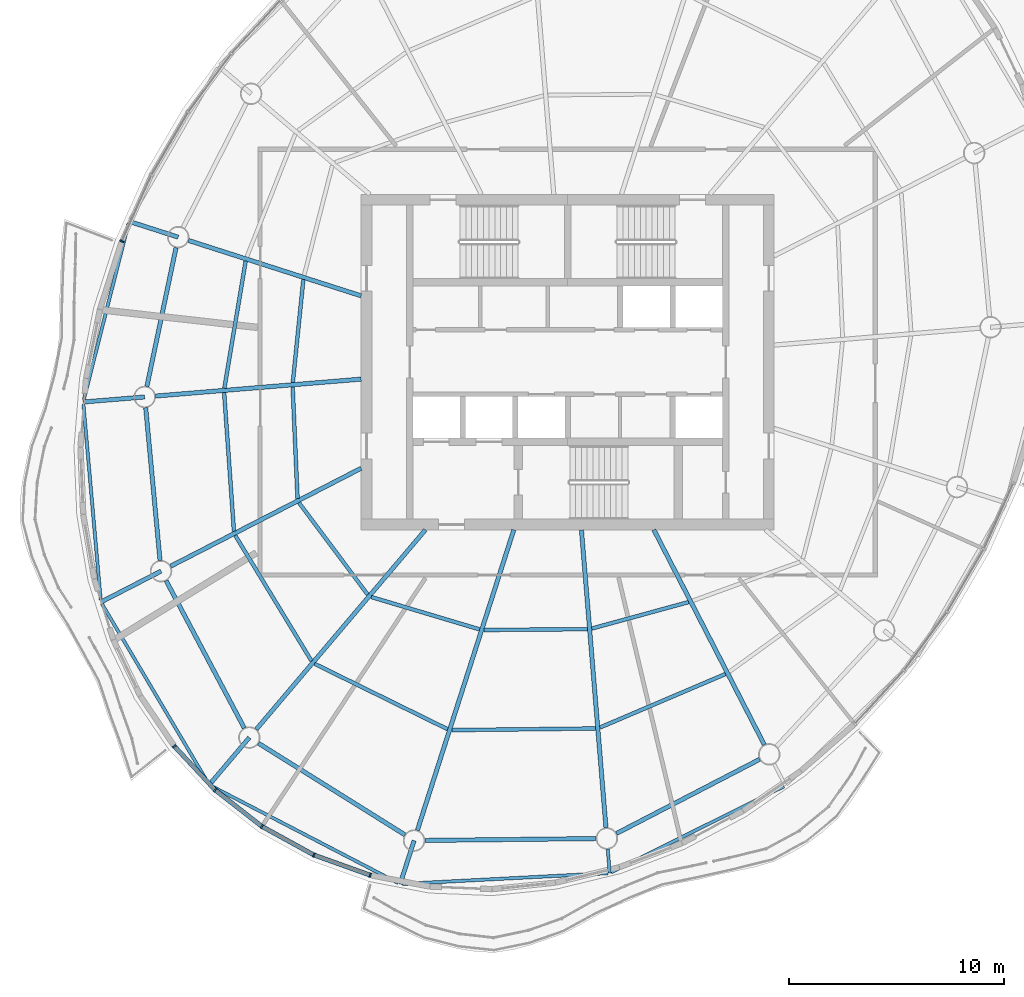
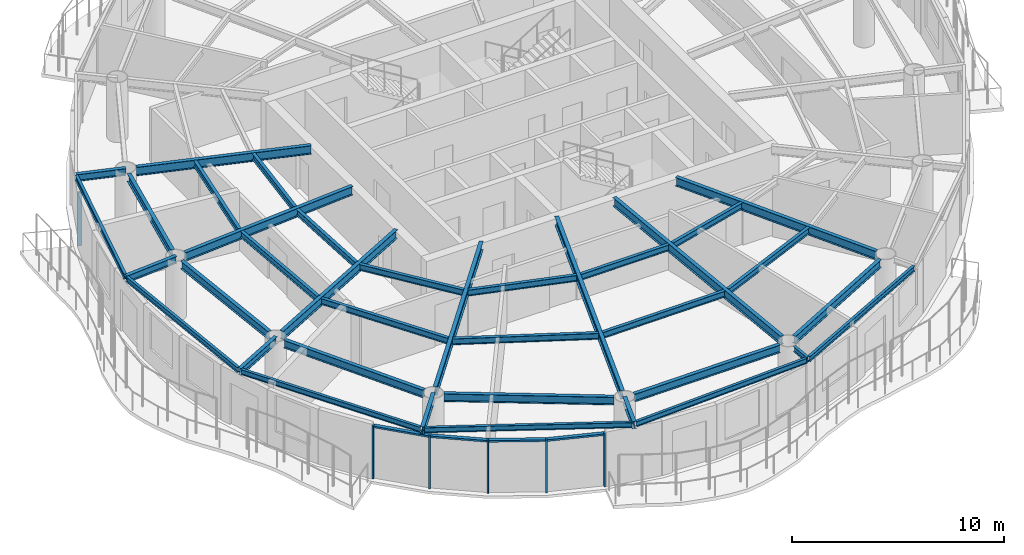
# One storey, part 2 of 15: 37 beams, 10 members, 5 elements without a shape of their own.
"""IFC4 building model written with IfcOpenShell, lengths in metres."""

from ifc_helpers import new_model, si_unit, direction, frame, origin, origin_2d, place, context, subcontext, project, spatial, rectangle, i_section, extrude, material, material_profile, profile_set, type_object, element, aggregate, save


model = new_model("IFC4")

# Units and contexts
model_context = context("Model", 3, precision=1e-05, world=origin(), true_north=direction((0.0, 1.0)))
body_context = subcontext(model_context, "Body", "Model", "MODEL_VIEW")
ifc_project = project(units=[si_unit("LENGTHUNIT", "METRE"), si_unit("AREAUNIT", "SQUARE_METRE"), si_unit("VOLUMEUNIT", "CUBIC_METRE"), si_unit("PLANEANGLEUNIT", "RADIAN"), si_unit("MASSUNIT", "GRAM", prefix="KILO")], contexts=[model_context])

# Site, building, storey
site_placement = place(None, origin())
site = spatial("IfcSite", under=ifc_project, at=site_placement, CompositionType="ELEMENT")
building_placement = place(site_placement, origin())
building = spatial("IfcBuilding", under=site, at=building_placement, Name="Vermilion Reach Broadcast Tower", CompositionType="ELEMENT")
storey_placement = place(building_placement, frame((0.0, 0.0, 261.300048828125)))
storey = spatial("IfcBuildingStorey", under=building, at=storey_placement, Name="L64", CompositionType="ELEMENT", Elevation=261.300048828125)

# Beams
ifc_material_1 = material(Name="Steel S355J2", Category="steel")
ifc_material_profile_1 = material_profile(ifc_material_1, i_section(OverallWidth=0.14990234375, OverallDepth=0.300048828125, WebThickness=0.006591796875, FlangeThickness=0.009033203125, at=origin_2d()), Name="S355J2 HN 300x150x6.5x9")
ifc_profile_set_1 = profile_set([ifc_material_profile_1], Name="Steel S355J2")
beam_type_1 = type_object("IfcBeamType", Name="EB5 HN 300x150x6.5x9", PredefinedType="BEAM", material=ifc_profile_set_1)
beam_1_placement = place(storey_placement, frame((-26.416748046875, 6.446044921875, 3.300048828125), z_axis=(-0.246038080256, -0.969260162734, 0.0), x_axis=(0.969260162734, -0.246038080256, 0.0)))
element("IfcBeam", 1, at=beam_1_placement, inside=storey, type_object=beam_type_1, Name="Edge beam EB5-05", PredefinedType="BEAM", context=body_context, shape_type="SweptSolid", body=[
    extrude(i_section(OverallWidth=0.14990234375, OverallDepth=0.300048828125, WebThickness=0.006591796875, FlangeThickness=0.009033203125, at=origin_2d()), origin(), (0.0, 0.0, 1.0), 8.459228515625),
])
beam_2_placement = place(storey_placement, frame((-28.51513671875, -1.955322265625, 3.300048828125), z_axis=(0.087996816652, -0.996120755862, 0.0), x_axis=(0.996120755862, 0.087996816652, 0.0)))
element("IfcBeam", 2, at=beam_2_placement, inside=storey, type_object=beam_type_1, Name="Edge beam EB5-06", PredefinedType="BEAM", context=body_context, shape_type="SweptSolid", body=[
    extrude(i_section(OverallWidth=0.14990234375, OverallDepth=0.300048828125, WebThickness=0.006591796875, FlangeThickness=0.009033203125, at=origin_2d()), origin(), (0.0, 0.0, 1.0), 9.130615234375),
])
beam_3_placement = place(storey_placement, frame((-27.651123046875, -11.244384765625, 3.300048828125), z_axis=(0.509893702773, -0.860237415992, 0.0), x_axis=(0.860237415992, 0.509893702773, 0.0)))
element("IfcBeam", 3, at=beam_3_placement, inside=storey, type_object=beam_type_1, Name="Edge beam EB5-07", PredefinedType="BEAM", context=body_context, shape_type="SweptSolid", body=[
    extrude(i_section(OverallWidth=0.14990234375, OverallDepth=0.300048828125, WebThickness=0.006591796875, FlangeThickness=0.009033203125, at=origin_2d()), origin(), (0.0, 0.0, 1.0), 9.673828125),
])
beam_4_placement = place(storey_placement, frame((-22.57373046875, -19.70458984375, 3.300048828125), z_axis=(0.887399463352, -0.461001293319, 0.0), x_axis=(0.461001293319, 0.887399463352, 0.0)))
element("IfcBeam", 4, at=beam_4_placement, inside=storey, type_object=beam_type_1, Name="Edge beam EB5-08", PredefinedType="BEAM", context=body_context, shape_type="SweptSolid", body=[
    extrude(i_section(OverallWidth=0.14990234375, OverallDepth=0.300048828125, WebThickness=0.006591796875, FlangeThickness=0.009033203125, at=origin_2d()), origin(), (0.0, 0.0, 1.0), 9.800048828125),
])
beam_5_placement = place(storey_placement, frame((-13.680419921875, -24.263427734375, 3.300048828125), z_axis=(0.998643973769, 0.0520597124, 0.0), x_axis=(-0.0520597124, 0.998643973769, 0.0)))
element("IfcBeam", 5, at=beam_5_placement, inside=storey, type_object=beam_type_1, Name="Edge beam EB5-09", PredefinedType="BEAM", context=body_context, shape_type="SweptSolid", body=[
    extrude(i_section(OverallWidth=0.14990234375, OverallDepth=0.300048828125, WebThickness=0.006591796875, FlangeThickness=0.009033203125, at=origin_2d()), origin(), (0.0, 0.0, 1.0), 9.576171875),
])
beam_6_placement = place(storey_placement, frame((-3.969970703125, -23.724853515625, 3.300048828125), z_axis=(0.895155540146, 0.445753921965, 0.0), x_axis=(-0.445753921965, 0.895155540146, 0.0)))
element("IfcBeam", 6, at=beam_6_placement, inside=storey, type_object=beam_type_1, Name="Edge beam EB5-10", PredefinedType="BEAM", context=body_context, shape_type="SweptSolid", body=[
    extrude(i_section(OverallWidth=0.14990234375, OverallDepth=0.300048828125, WebThickness=0.006591796875, FlangeThickness=0.009033203125, at=origin_2d()), origin(), (0.0, 0.0, 1.0), 8.96875),
])
ifc_material_2 = material(Name="Steel S355J2", Category="steel")
ifc_material_profile_2 = material_profile(ifc_material_2, i_section(OverallWidth=0.199951171875, OverallDepth=0.5, WebThickness=0.010009765625, FlangeThickness=0.01611328125, at=origin_2d()), Name="S355J2 HN 500x200x10x16")
ifc_profile_set_2 = profile_set([ifc_material_profile_2], Name="Steel S355J2")
beam_type_2 = type_object("IfcBeamType", Name="G5 HN 500x200x10x16", PredefinedType="BEAM", material=ifc_profile_set_2)
beam_7_placement = place(storey_placement, frame((-15.60009765625, 3.080322265625, 3.199951171875), z_axis=(-0.952178453449, 0.305542456604, 0.0), x_axis=(-0.305542456604, -0.952178453449, 0.0)))
element("IfcBeam", 7, at=beam_7_placement, inside=storey, type_object=beam_type_2, Name="Girder G5-05", PredefinedType="BEAM", context=body_context, shape_type="SweptSolid", body=[
    extrude(i_section(OverallWidth=0.199951171875, OverallDepth=0.5, WebThickness=0.010009765625, FlangeThickness=0.01611328125, at=origin_2d()), origin(), (0.0, 0.0, 1.0), 8.43310546875),
])
beam_8_placement = place(storey_placement, frame((-15.60009765625, -0.791015625, 3.199951171875), z_axis=(-0.996624410075, -0.082096195058, 0.0), x_axis=(0.082096195058, -0.996624410075, 0.0)))
element("IfcBeam", 8, at=beam_8_placement, inside=storey, type_object=beam_type_2, Name="Girder G5-06", PredefinedType="BEAM", context=body_context, shape_type="SweptSolid", body=[
    extrude(i_section(OverallWidth=0.199951171875, OverallDepth=0.5, WebThickness=0.010009765625, FlangeThickness=0.01611328125, at=origin_2d()), origin(), (0.0, 0.0, 1.0), 9.599609375),
])
beam_9_placement = place(storey_placement, frame((-15.60009765625, -4.935791015625, 3.199951171875), z_axis=(-0.889332502449, -0.457261085254, 0.0), x_axis=(0.457261085254, -0.889332502449, 0.0)))
element("IfcBeam", 9, at=beam_9_placement, inside=storey, type_object=beam_type_2, Name="Girder G5-07", PredefinedType="BEAM", context=body_context, shape_type="SweptSolid", body=[
    extrude(i_section(OverallWidth=0.199951171875, OverallDepth=0.5, WebThickness=0.010009765625, FlangeThickness=0.01611328125, at=origin_2d()), origin(), (0.0, 0.0, 1.0), 9.96337890625),
])
beam_10_placement = place(storey_placement, frame((-12.612548828125, -7.800048828125, 3.199951171875), z_axis=(-0.646658335602, -0.762779782766, 0.0), x_axis=(0.762779782766, -0.646658335602, 0.0)))
element("IfcBeam", 10, at=beam_10_placement, inside=storey, type_object=beam_type_2, Name="Girder G5-08", PredefinedType="BEAM", context=body_context, shape_type="SweptSolid", body=[
    extrude(i_section(OverallWidth=0.199951171875, OverallDepth=0.5, WebThickness=0.010009765625, FlangeThickness=0.01611328125, at=origin_2d()), origin(), (0.0, 0.0, 1.0), 12.16064453125),
])
beam_11_placement = place(storey_placement, frame((-8.502685546875, -7.800048828125, 3.199951171875), z_axis=(-0.305545401295, -0.952177508528, 0.0), x_axis=(0.952177508528, -0.305545401295, 0.0)))
element("IfcBeam", 11, at=beam_11_placement, inside=storey, type_object=beam_type_2, Name="Girder G5-09", PredefinedType="BEAM", context=body_context, shape_type="SweptSolid", body=[
    extrude(i_section(OverallWidth=0.199951171875, OverallDepth=0.5, WebThickness=0.010009765625, FlangeThickness=0.01611328125, at=origin_2d()), origin(), (0.0, 0.0, 1.0), 14.672607421875),
])
beam_12_placement = place(storey_placement, frame((-5.357421875, -7.800048828125, 3.199951171875), z_axis=(0.082123744247, -0.996622140347, 0.0), x_axis=(0.996622140347, 0.082123744247, 0.0)))
element("IfcBeam", 12, at=beam_12_placement, inside=storey, type_object=beam_type_2, Name="Girder G5-10", PredefinedType="BEAM", context=body_context, shape_type="SweptSolid", body=[
    extrude(i_section(OverallWidth=0.199951171875, OverallDepth=0.5, WebThickness=0.010009765625, FlangeThickness=0.01611328125, at=origin_2d()), origin(), (0.0, 0.0, 1.0), 13.89794921875),
])
beam_13_placement = place(storey_placement, frame((-1.989501953125, -7.800048828125, 3.199951171875), z_axis=(0.457258168112, -0.889334002327, 0.0), x_axis=(0.889334002327, 0.457258168112, 0.0)))
element("IfcBeam", 13, at=beam_13_placement, inside=storey, type_object=beam_type_2, Name="Girder G5-11", PredefinedType="BEAM", context=body_context, shape_type="SweptSolid", body=[
    extrude(i_section(OverallWidth=0.199951171875, OverallDepth=0.5, WebThickness=0.010009765625, FlangeThickness=0.01611328125, at=origin_2d()), origin(), (0.0, 0.0, 1.0), 11.236328125),
])
ifc_material_3 = material(Name="Steel S355J2", Category="steel")
ifc_material_profile_3 = material_profile(ifc_material_3, i_section(OverallWidth=0.199951171875, OverallDepth=0.39990234375, WebThickness=0.008056640625, FlangeThickness=0.012939453125, at=origin_2d()), Name="S355J2 HN 400x200x8x13")
ifc_profile_set_3 = profile_set([ifc_material_profile_3], Name="Steel S355J2")
beam_type_3 = type_object("IfcBeamType", Name="GC5 HN 400x200x8x13", PredefinedType="BEAM", material=ifc_profile_set_3)
beam_14_placement = place(storey_placement, frame((-24.10595703125, 5.809814453125, 3.25), z_axis=(-0.952201923587, 0.305469305687, 0.0), x_axis=(-0.305469305687, -0.952201923587, 0.0)))
element("IfcBeam", 14, at=beam_14_placement, inside=storey, type_object=beam_type_3, Name="Cantilever girder GC5-05", PredefinedType="BEAM", context=body_context, shape_type="SweptSolid", body=[
    extrude(i_section(OverallWidth=0.199951171875, OverallDepth=0.39990234375, WebThickness=0.008056640625, FlangeThickness=0.012939453125, at=origin_2d()), origin(), (0.0, 0.0, 1.0), 2.40087890625),
])
beam_15_placement = place(storey_placement, frame((-25.665771484375, -1.620361328125, 3.25), z_axis=(-0.996626885266, -0.082066141402, 0.0), x_axis=(0.082066141402, -0.996626885266, 0.0)))
element("IfcBeam", 15, at=beam_15_placement, inside=storey, type_object=beam_type_3, Name="Cantilever girder GC5-06", PredefinedType="BEAM", context=body_context, shape_type="SweptSolid", body=[
    extrude(i_section(OverallWidth=0.199951171875, OverallDepth=0.39990234375, WebThickness=0.008056640625, FlangeThickness=0.012939453125, at=origin_2d()), origin(), (0.0, 0.0, 1.0), 2.867919921875),
])
beam_16_placement = place(storey_placement, frame((-24.905517578125, -9.72021484375, 3.25), z_axis=(-0.889323886148, -0.457277842812, 0.0), x_axis=(0.457277842812, -0.889323886148, 0.0)))
element("IfcBeam", 16, at=beam_16_placement, inside=storey, type_object=beam_type_3, Name="Cantilever girder GC5-07", PredefinedType="BEAM", context=body_context, shape_type="SweptSolid", body=[
    extrude(i_section(OverallWidth=0.199951171875, OverallDepth=0.39990234375, WebThickness=0.008056640625, FlangeThickness=0.012939453125, at=origin_2d()), origin(), (0.0, 0.0, 1.0), 3.144775390625),
])
beam_17_placement = place(storey_placement, frame((-20.799560546875, -17.457275390625, 3.25), z_axis=(-0.646647778252, -0.762788732796, 0.0), x_axis=(0.762788732796, -0.646647778252, 0.0)))
element("IfcBeam", 17, at=beam_17_placement, inside=storey, type_object=beam_type_3, Name="Cantilever girder GC5-08", PredefinedType="BEAM", context=body_context, shape_type="SweptSolid", body=[
    extrude(i_section(OverallWidth=0.199951171875, OverallDepth=0.39990234375, WebThickness=0.008056640625, FlangeThickness=0.012939453125, at=origin_2d()), origin(), (0.0, 0.0, 1.0), 2.884033203125),
])
beam_18_placement = place(storey_placement, frame((-13.138427734375, -22.2470703125, 3.25), z_axis=(-0.305584898236, -0.952164833404, 0.0), x_axis=(0.952164833404, -0.305584898236, 0.0)))
element("IfcBeam", 18, at=beam_18_placement, inside=storey, type_object=beam_type_3, Name="Cantilever girder GC5-09", PredefinedType="BEAM", context=body_context, shape_type="SweptSolid", body=[
    extrude(i_section(OverallWidth=0.199951171875, OverallDepth=0.39990234375, WebThickness=0.008056640625, FlangeThickness=0.012939453125, at=origin_2d()), origin(), (0.0, 0.0, 1.0), 2.12353515625),
])
ifc_material_4 = material(Name="Steel S355J2", Category="steel")
ifc_material_profile_4 = material_profile(ifc_material_4, i_section(OverallWidth=0.14990234375, OverallDepth=0.300048828125, WebThickness=0.006591796875, FlangeThickness=0.009033203125, at=origin_2d()), Name="S355J2 HN 300x150x6.5x9")
ifc_profile_set_4 = profile_set([ifc_material_profile_4], Name="Steel S355J2")
beam_type_4 = type_object("IfcBeamType", Name="GS5 HN 300x150x6.5x9", PredefinedType="BEAM", material=ifc_profile_set_4)
beam_19_placement = place(storey_placement, frame((-4.134033203125, -22.647705078125, 3.300048828125), z_axis=(0.082177251405, -0.9966177298, 0.0), x_axis=(0.9966177298, 0.082177251405, 0.0)))
element("IfcBeam", 19, at=beam_19_placement, inside=storey, type_object=beam_type_4, Name="Cantilever stub GS5-10", PredefinedType="BEAM", context=body_context, shape_type="SweptSolid", body=[
    extrude(i_section(OverallWidth=0.14990234375, OverallDepth=0.300048828125, WebThickness=0.006591796875, FlangeThickness=0.009033203125, at=origin_2d()), origin(), (0.0, 0.0, 1.0), 1.116943359375),
])
ifc_material_5 = material(Name="Steel S355J2", Category="steel")
ifc_material_profile_5 = material_profile(ifc_material_5, i_section(OverallWidth=0.199951171875, OverallDepth=0.449951171875, WebThickness=0.009033203125, FlangeThickness=0.013916015625, at=origin_2d()), Name="S355J2 HN 450x200x9x14")
ifc_profile_set_5 = profile_set([ifc_material_profile_5], Name="Steel S355J2")
beam_type_5 = type_object("IfcBeamType", Name="RB5 HN 450x200x9x14", PredefinedType="BEAM", material=ifc_profile_set_5)
beam_20_placement = place(storey_placement, frame((-24.208740234375, 5.3203125, 3.224853515625), z_axis=(-0.205444869285, -0.978668690459, 0.0), x_axis=(0.978668690459, -0.205444869285, 0.0)))
element("IfcBeam", 20, at=beam_20_placement, inside=storey, type_object=beam_type_5, Name="Ring beam RB5-05", PredefinedType="BEAM", context=body_context, shape_type="SweptSolid", body=[
    extrude(i_section(OverallWidth=0.199951171875, OverallDepth=0.449951171875, WebThickness=0.009033203125, FlangeThickness=0.013916015625, at=origin_2d()), origin(), (0.0, 0.0, 1.0), 6.591796875),
])
beam_21_placement = place(storey_placement, frame((-25.618896484375, -2.1181640625, 3.224853515625), z_axis=(0.093441399272, -0.995624781181, 0.0), x_axis=(0.995624781181, 0.093441399272, 0.0)))
element("IfcBeam", 21, at=beam_21_placement, inside=storey, type_object=beam_type_5, Name="Ring beam RB5-06", PredefinedType="BEAM", context=body_context, shape_type="SweptSolid", body=[
    extrude(i_section(OverallWidth=0.199951171875, OverallDepth=0.449951171875, WebThickness=0.009033203125, FlangeThickness=0.013916015625, at=origin_2d()), origin(), (0.0, 0.0, 1.0), 7.135498046875),
])
beam_22_placement = place(storey_placement, frame((-24.671142578125, -10.161865234375, 3.224853515625), z_axis=(0.468767917375, -0.883321368269, 0.0), x_axis=(0.883321368269, 0.468767917375, 0.0)))
element("IfcBeam", 22, at=beam_22_placement, inside=storey, type_object=beam_type_5, Name="Ring beam RB5-07", PredefinedType="BEAM", context=body_context, shape_type="SweptSolid", body=[
    extrude(i_section(OverallWidth=0.199951171875, OverallDepth=0.449951171875, WebThickness=0.009033203125, FlangeThickness=0.013916015625, at=origin_2d()), origin(), (0.0, 0.0, 1.0), 7.759033203125),
])
beam_23_placement = place(storey_placement, frame((-20.375732421875, -17.722412109375, 3.224853515625), z_axis=(0.847914653245, -0.530132757724, 0.0), x_axis=(0.530132757724, 0.847914653245, 0.0)))
element("IfcBeam", 23, at=beam_23_placement, inside=storey, type_object=beam_type_5, Name="Ring beam RB5-08", PredefinedType="BEAM", context=body_context, shape_type="SweptSolid", body=[
    extrude(i_section(OverallWidth=0.199951171875, OverallDepth=0.449951171875, WebThickness=0.009033203125, FlangeThickness=0.013916015625, at=origin_2d()), origin(), (0.0, 0.0, 1.0), 8.035400390625),
])
beam_24_placement = place(storey_placement, frame((-12.638427734375, -22.24169921875, 3.224853515625), z_axis=(0.999940445231, 0.010913569149, 0.0), x_axis=(-0.010913569149, 0.999940445231, 0.0)))
element("IfcBeam", 24, at=beam_24_placement, inside=storey, type_object=beam_type_5, Name="Ring beam RB5-09", PredefinedType="BEAM", context=body_context, shape_type="SweptSolid", body=[
    extrude(i_section(OverallWidth=0.199951171875, OverallDepth=0.449951171875, WebThickness=0.009033203125, FlangeThickness=0.013916015625, at=origin_2d()), origin(), (0.0, 0.0, 1.0), 7.9638671875),
])
beam_25_placement = place(storey_placement, frame((-3.731201171875, -21.91943359375, 3.224853515625), z_axis=(0.887960248279, 0.459920207729, 0.0), x_axis=(-0.459920207729, 0.887960248279, 0.0)))
element("IfcBeam", 25, at=beam_25_placement, inside=storey, type_object=beam_type_5, Name="Ring beam RB5-10", PredefinedType="BEAM", context=body_context, shape_type="SweptSolid", body=[
    extrude(i_section(OverallWidth=0.199951171875, OverallDepth=0.449951171875, WebThickness=0.009033203125, FlangeThickness=0.013916015625, at=origin_2d()), origin(), (0.0, 0.0, 1.0), 7.5048828125),
])
ifc_material_6 = material(Name="Steel S355J2", Category="steel")
ifc_material_profile_6 = material_profile(ifc_material_6, i_section(OverallWidth=0.175048828125, OverallDepth=0.35009765625, WebThickness=0.007080078125, FlangeThickness=0.010986328125, at=origin_2d()), Name="S355J2 HN 350x175x7x11")
ifc_profile_set_6 = profile_set([ifc_material_profile_6], Name="Steel S355J2")
beam_type_6 = type_object("IfcBeamType", Name="SB5 HN 350x175x7x11", PredefinedType="BEAM", material=ifc_profile_set_6)
beam_26_placement = place(storey_placement, frame((-18.287109375, 3.837646484375, 3.27490234375), z_axis=(-0.102113775264, -0.994772726255, 0.0), x_axis=(0.994772726255, -0.102113775264, 0.0)))
element("IfcBeam", 26, at=beam_26_placement, inside=storey, type_object=beam_type_6, Name="Secondary beam SB5-05-1", PredefinedType="BEAM", context=body_context, shape_type="SweptSolid", body=[
    extrude(i_section(OverallWidth=0.175048828125, OverallDepth=0.35009765625, WebThickness=0.007080078125, FlangeThickness=0.010986328125, at=origin_2d()), origin(), (0.0, 0.0, 1.0), 4.815185546875),
])
beam_27_placement = place(storey_placement, frame((-20.969970703125, 4.698486328125, 3.27490234375), z_axis=(-0.16532337011, -0.986239414795, 0.0), x_axis=(0.986239414795, -0.16532337011, 0.0)))
element("IfcBeam", 27, at=beam_27_placement, inside=storey, type_object=beam_type_6, Name="Secondary beam SB5-05-2", PredefinedType="BEAM", context=body_context, shape_type="SweptSolid", body=[
    extrude(i_section(OverallWidth=0.175048828125, OverallDepth=0.35009765625, WebThickness=0.007080078125, FlangeThickness=0.010986328125, at=origin_2d()), origin(), (0.0, 0.0, 1.0), 5.99560546875),
])
beam_28_placement = place(storey_placement, frame((-18.78466796875, -1.153564453125, 3.27490234375), z_axis=(0.043557530017, -0.999050920413, 0.0), x_axis=(0.999050920413, 0.043557530017, 0.0)))
element("IfcBeam", 28, at=beam_28_placement, inside=storey, type_object=beam_type_6, Name="Secondary beam SB5-06-1", PredefinedType="BEAM", context=body_context, shape_type="SweptSolid", body=[
    extrude(i_section(OverallWidth=0.175048828125, OverallDepth=0.35009765625, WebThickness=0.007080078125, FlangeThickness=0.010986328125, at=origin_2d()), origin(), (0.0, 0.0, 1.0), 5.19580078125),
])
beam_29_placement = place(storey_placement, frame((-21.97119140625, -1.416259765625, 3.27490234375), z_axis=(0.070586780458, -0.997505642302, 0.0), x_axis=(0.997505642302, 0.070586780458, 0.0)))
element("IfcBeam", 29, at=beam_29_placement, inside=storey, type_object=beam_type_6, Name="Secondary beam SB5-06-2", PredefinedType="BEAM", context=body_context, shape_type="SweptSolid", body=[
    extrude(i_section(OverallWidth=0.175048828125, OverallDepth=0.35009765625, WebThickness=0.007080078125, FlangeThickness=0.010986328125, at=origin_2d()), origin(), (0.0, 0.0, 1.0), 6.46435546875),
])
beam_30_placement = place(storey_placement, frame((-18.492919921875, -6.53564453125, 3.27490234375), z_axis=(0.599055582645, -0.800707442767, 0.0), x_axis=(0.800707442767, 0.599055582645, 0.0)))
element("IfcBeam", 30, at=beam_30_placement, inside=storey, type_object=beam_type_6, Name="Secondary beam SB5-07-1", PredefinedType="BEAM", context=body_context, shape_type="SweptSolid", body=[
    extrude(i_section(OverallWidth=0.175048828125, OverallDepth=0.35009765625, WebThickness=0.007080078125, FlangeThickness=0.010986328125, at=origin_2d()), origin(), (0.0, 0.0, 1.0), 5.337890625),
])
beam_31_placement = place(storey_placement, frame((-21.455078125, -8.058837890625, 3.27490234375), z_axis=(0.519272962556, -0.854608442714, 0.0), x_axis=(0.854608442714, 0.519272962556, 0.0)))
element("IfcBeam", 31, at=beam_31_placement, inside=storey, type_object=beam_type_6, Name="Secondary beam SB5-07-2", PredefinedType="BEAM", context=body_context, shape_type="SweptSolid", body=[
    extrude(i_section(OverallWidth=0.175048828125, OverallDepth=0.35009765625, WebThickness=0.007080078125, FlangeThickness=0.010986328125, at=origin_2d()), origin(), (0.0, 0.0, 1.0), 6.82763671875),
])
beam_32_placement = place(storey_placement, frame((-15.129150390625, -10.92333984375, 3.27490234375), z_axis=(0.958124906971, -0.286350593925, 0.0), x_axis=(0.286350593925, 0.958124906971, 0.0)))
element("IfcBeam", 32, at=beam_32_placement, inside=storey, type_object=beam_type_6, Name="Secondary beam SB5-08-1", PredefinedType="BEAM", context=body_context, shape_type="SweptSolid", body=[
    extrude(i_section(OverallWidth=0.175048828125, OverallDepth=0.35009765625, WebThickness=0.007080078125, FlangeThickness=0.010986328125, at=origin_2d()), origin(), (0.0, 0.0, 1.0), 5.25634765625),
])
beam_33_placement = place(storey_placement, frame((-17.762451171875, -14.029541015625, 3.27490234375), z_axis=(0.897335928087, -0.441348198325, 0.0), x_axis=(0.441348198325, 0.897335928087, 0.0)))
element("IfcBeam", 33, at=beam_33_placement, inside=storey, type_object=beam_type_6, Name="Secondary beam SB5-08-2", PredefinedType="BEAM", context=body_context, shape_type="SweptSolid", body=[
    extrude(i_section(OverallWidth=0.175048828125, OverallDepth=0.35009765625, WebThickness=0.007080078125, FlangeThickness=0.010986328125, at=origin_2d()), origin(), (0.0, 0.0, 1.0), 6.887451171875),
])
beam_34_placement = place(storey_placement, frame((-9.891845703125, -12.4560546875, 3.27490234375), z_axis=(0.999968312294, 0.007960804474, 0.0), x_axis=(-0.007960804474, 0.999968312294, 0.0)))
element("IfcBeam", 34, at=beam_34_placement, inside=storey, type_object=beam_type_6, Name="Secondary beam SB5-09-1", PredefinedType="BEAM", context=body_context, shape_type="SweptSolid", body=[
    extrude(i_section(OverallWidth=0.175048828125, OverallDepth=0.35009765625, WebThickness=0.007080078125, FlangeThickness=0.010986328125, at=origin_2d()), origin(), (0.0, 0.0, 1.0), 4.81494140625),
])
beam_35_placement = place(storey_placement, frame((-11.385986328125, -17.11279296875, 3.27490234375), z_axis=(0.999932654133, 0.011605481368, 0.0), x_axis=(-0.011605481368, 0.999932654133, 0.0)))
element("IfcBeam", 35, at=beam_35_placement, inside=storey, type_object=beam_type_6, Name="Secondary beam SB5-09-2", PredefinedType="BEAM", context=body_context, shape_type="SweptSolid", body=[
    extrude(i_section(OverallWidth=0.175048828125, OverallDepth=0.35009765625, WebThickness=0.007080078125, FlangeThickness=0.010986328125, at=origin_2d()), origin(), (0.0, 0.0, 1.0), 6.689697265625),
])
beam_36_placement = place(storey_placement, frame((-4.87890625, -12.39013671875, 3.27490234375), z_axis=(0.964547496851, 0.263909314573, 0.0), x_axis=(-0.263909314573, 0.964547496851, 0.0)))
element("IfcBeam", 36, at=beam_36_placement, inside=storey, type_object=beam_type_6, Name="Secondary beam SB5-10-1", PredefinedType="BEAM", context=body_context, shape_type="SweptSolid", body=[
    extrude(i_section(OverallWidth=0.175048828125, OverallDepth=0.35009765625, WebThickness=0.007080078125, FlangeThickness=0.010986328125, at=origin_2d()), origin(), (0.0, 0.0, 1.0), 4.6689453125),
])
beam_37_placement = place(storey_placement, frame((-4.49951171875, -16.99267578125, 3.27490234375), z_axis=(0.919880986172, 0.392197617637, 0.0), x_axis=(-0.392197617637, 0.919880986172, 0.0)))
element("IfcBeam", 37, at=beam_37_placement, inside=storey, type_object=beam_type_6, Name="Secondary beam SB5-10-2", PredefinedType="BEAM", context=body_context, shape_type="SweptSolid", body=[
    extrude(i_section(OverallWidth=0.175048828125, OverallDepth=0.35009765625, WebThickness=0.007080078125, FlangeThickness=0.010986328125, at=origin_2d()), origin(), (0.0, 0.0, 1.0), 6.351806640625),
])

# Curtain wall, member
ifc_material_7 = material(Name="Low-e laminated clear glass in aluminium frame", Category="aluminium")
curtain_wall_type = type_object("IfcCurtainWallType", Name="Slot curtain wall", PredefinedType="NOTDEFINED", material=ifc_material_7)
placement = place(storey_placement, origin())
curtain_wall_1 = element("IfcCurtainWall", 38, at=placement, inside=storey, type_object=curtain_wall_type, Name="Slot curtain wall L64 13", PredefinedType="NOTDEFINED")
ifc_material_8 = material(Name="Anodised aluminium", Category="aluminium")
ifc_material_profile_7 = material_profile(ifc_material_8, rectangle(XDim=0.199951171875, YDim=0.080078125, at=origin_2d()), Name="Slot mullion 80 x 200")
ifc_profile_set_7 = profile_set([ifc_material_profile_7], Name="Anodised aluminium")
member_type_1 = type_object("IfcMemberType", Name="Slot mullion 80 x 200", PredefinedType="MULLION", material=ifc_profile_set_7)
member_1_placement = place(storey_placement, frame((-26.728515625, 5.621337890625, 0.0), z_axis=(0.0, 0.0, 1.0), x_axis=(0.933836511521, -0.357700111476, 0.0)))
member_1 = element("IfcMember", 39, at=member_1_placement, type_object=member_type_1, Name="Slot mullion L64 14", PredefinedType="MULLION", context=body_context, shape_type="SweptSolid", body=[
    extrude(rectangle(XDim=0.199951171875, YDim=0.080078125, at=origin_2d()), origin(), (0.0, 0.0, 1.0), 3.050048828125),
])
aggregate(curtain_wall_1, [member_1])

curtain_wall_2 = element("IfcCurtainWall", 40, at=placement, inside=storey, type_object=curtain_wall_type, Name="Slot curtain wall L64 22", PredefinedType="NOTDEFINED")
member_2_placement = place(storey_placement, frame((-24.28662109375, -17.859619140625, 0.0), z_axis=(0.0, 0.0, 1.0), x_axis=(0.781884873438, 0.623422845819, 0.0)))
member_2 = element("IfcMember", 41, at=member_2_placement, type_object=member_type_1, Name="Slot mullion L64 22", PredefinedType="MULLION", context=body_context, shape_type="SweptSolid", body=[
    extrude(rectangle(XDim=0.199951171875, YDim=0.080078125, at=origin_2d()), origin(), (0.0, 0.0, 1.0), 3.050048828125),
])

curtain_wall_3 = element("IfcCurtainWall", 42, at=placement, inside=storey, type_object=curtain_wall_type, Name="Slot curtain wall L64 23", PredefinedType="NOTDEFINED")
member_3_placement = place(storey_placement, frame((-22.389404296875, -19.89404296875, 0.0), z_axis=(0.0, 0.0, 1.0), x_axis=(0.675190015526, 0.737643845588, 0.0)))
member_3 = element("IfcMember", 43, at=member_3_placement, type_object=member_type_1, Name="Slot mullion L64 23", PredefinedType="MULLION", context=body_context, shape_type="SweptSolid", body=[
    extrude(rectangle(XDim=0.199951171875, YDim=0.080078125, at=origin_2d()), origin(), (0.0, 0.0, 1.0), 3.050048828125),
])

curtain_wall_4 = element("IfcCurtainWall", 44, at=placement, inside=storey, type_object=curtain_wall_type, Name="Slot curtain wall L64 24", PredefinedType="NOTDEFINED")
member_4_placement = place(storey_placement, frame((-20.214111328125, -21.589599609375, 0.0), z_axis=(0.0, 0.0, 1.0), x_axis=(0.549897777152, 0.835231964596, 0.0)))
member_4 = element("IfcMember", 45, at=member_4_placement, type_object=member_type_1, Name="Slot mullion L64 24", PredefinedType="MULLION", context=body_context, shape_type="SweptSolid", body=[
    extrude(rectangle(XDim=0.199951171875, YDim=0.080078125, at=origin_2d()), origin(), (0.0, 0.0, 1.0), 3.050048828125),
])

# Curtain wall, members
curtain_wall_5 = element("IfcCurtainWall", 46, at=placement, inside=storey, type_object=curtain_wall_type, Name="Slot curtain wall L64 25", PredefinedType="NOTDEFINED")
member_5_placement = place(storey_placement, frame((-17.796875, -22.917724609375, 0.0), z_axis=(0.0, 0.0, 1.0), x_axis=(0.41073620737, 0.911754225631, 0.0)))
member_5 = element("IfcMember", 47, at=member_5_placement, type_object=member_type_1, Name="Slot mullion L64 25", PredefinedType="MULLION", context=body_context, shape_type="SweptSolid", body=[
    extrude(rectangle(XDim=0.199951171875, YDim=0.080078125, at=origin_2d()), origin(), (0.0, 0.0, 1.0), 3.050048828125),
])
member_6_placement = place(storey_placement, frame((-15.17822265625, -23.856201171875, 0.0), z_axis=(0.0, 0.0, 1.0), x_axis=(0.263646156395, 0.964619460833, 0.0)))
member_6 = element("IfcMember", 48, at=member_6_placement, type_object=member_type_1, Name="Slot mullion L64 26", PredefinedType="MULLION", context=body_context, shape_type="SweptSolid", body=[
    extrude(rectangle(XDim=0.199951171875, YDim=0.080078125, at=origin_2d()), origin(), (0.0, 0.0, 1.0), 3.050048828125),
])

# Member
ifc_material_9 = material(Name="Anodised aluminium", Category="aluminium")
ifc_material_profile_8 = material_profile(ifc_material_9, rectangle(XDim=0.199951171875, YDim=0.10009765625, at=origin_2d()), Name="Slot transom 200 x 100")
ifc_profile_set_8 = profile_set([ifc_material_profile_8], Name="Anodised aluminium")
member_type_2 = type_object("IfcMemberType", Name="Slot transom 200 x 100", PredefinedType="USERDEFINED", material=ifc_profile_set_8)
member_7_placement = place(storey_placement, frame((-24.25927734375, -17.888671875, 3.0), z_axis=(0.681915730713, -0.731430746008, 0.0), x_axis=(0.731430746008, 0.681915730713, 0.0)))
member_7 = element("IfcMember", 49, at=member_7_placement, type_object=member_type_2, Name="Slot transom L64 22.1", ObjectType="TRANSOM", PredefinedType="USERDEFINED", context=body_context, shape_type="SweptSolid", body=[
    extrude(rectangle(XDim=0.199951171875, YDim=0.10009765625, at=origin_2d()), origin(), (0.0, 0.0, 1.0), 2.701904296875),
])

aggregate(curtain_wall_2, [member_2, member_7])

member_8_placement = place(storey_placement, frame((-22.35791015625, -19.918701171875, 3.0), z_axis=(0.788748051668, -0.614716610309, 0.0), x_axis=(0.614716610309, 0.788748051668, 0.0)))
member_8 = element("IfcMember", 50, at=member_8_placement, type_object=member_type_2, Name="Slot transom L64 23.1", ObjectType="TRANSOM", PredefinedType="USERDEFINED", context=body_context, shape_type="SweptSolid", body=[
    extrude(rectangle(XDim=0.199951171875, YDim=0.10009765625, at=origin_2d()), origin(), (0.0, 0.0, 1.0), 2.677978515625),
])

aggregate(curtain_wall_3, [member_3, member_8])

member_9_placement = place(storey_placement, frame((-20.178955078125, -21.60888671875, 3.0), z_axis=(0.876414097948, -0.481558230039, 0.0), x_axis=(0.481558230039, 0.876414097948, 0.0)))
member_9 = element("IfcMember", 51, at=member_9_placement, type_object=member_type_2, Name="Slot transom L64 24.1", ObjectType="TRANSOM", PredefinedType="USERDEFINED", context=body_context, shape_type="SweptSolid", body=[
    extrude(rectangle(XDim=0.199951171875, YDim=0.10009765625, at=origin_2d()), origin(), (0.0, 0.0, 1.0), 2.677978515625),
])

aggregate(curtain_wall_4, [member_4, member_9])

member_10_placement = place(storey_placement, frame((-17.75927734375, -22.93115234375, 3.0), z_axis=(0.941361065596, -0.337400865707, 0.0), x_axis=(0.337400865707, 0.941361065596, 0.0)))
member_10 = element("IfcMember", 52, at=member_10_placement, type_object=member_type_2, Name="Slot transom L64 25.1", ObjectType="TRANSOM", PredefinedType="USERDEFINED", context=body_context, shape_type="SweptSolid", body=[
    extrude(rectangle(XDim=0.199951171875, YDim=0.10009765625, at=origin_2d()), origin(), (0.0, 0.0, 1.0), 2.701904296875),
])

aggregate(curtain_wall_5, [member_5, member_6, member_10])

save(model, "model.ifc")
